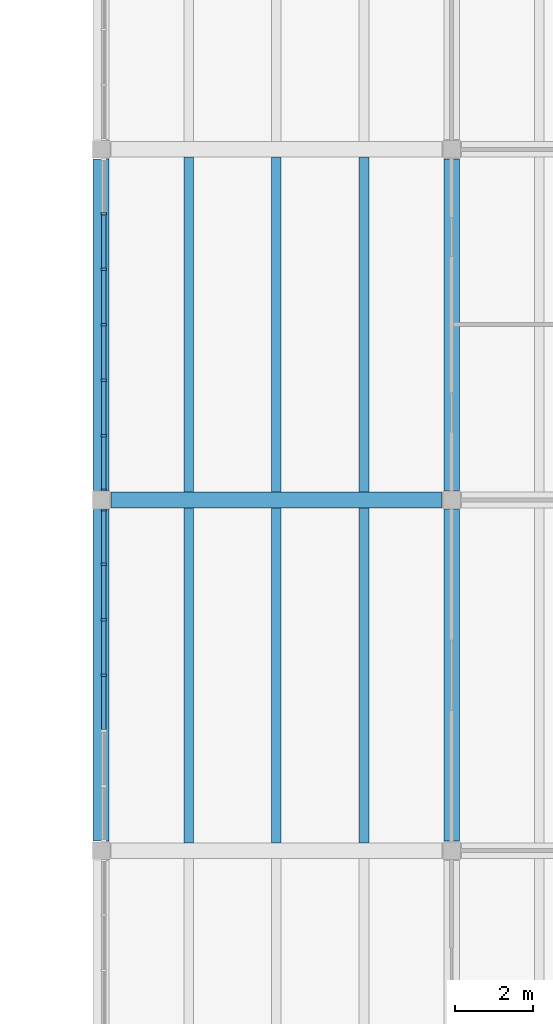
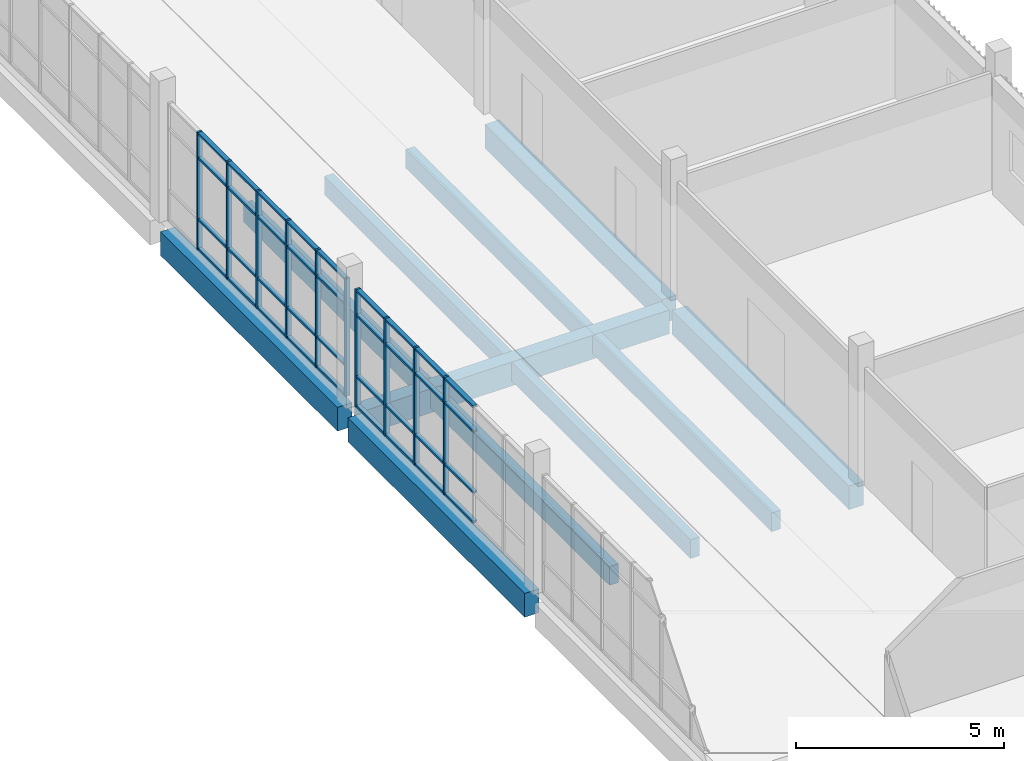
# One storey, part 19 of 88: 46 members, 11 beams, 2 elements without a shape of their own.
"""IFC4 building model written with IfcOpenShell, lengths in metres."""

import ifcopenshell
import ifcopenshell.guid

model = None  # the IFC model being written
_history = None  # IfcOwnerHistory: only IFC2X3 demands one
_inside = {}  # id of a spatial element -> (the spatial element, [elements in it])
_under = {}  # id of a project, library or spatial element -> (it, [spatial elements below it])
_declared = {}  # id of a project -> (the project, [libraries it declares])
_typed = {}  # id of a type object -> (the type object, [elements of that type])
_made_of = {}  # id of a material, layer set ... -> (it, [elements and type objects made of it])


def new_model(schema):
    """Start an empty IFC model of exactly this schema.

    Asked for "IFC4X3", IfcOpenShell would pick the latest addendum, in which some entities
    have other attributes; the version numbers below select the first issue.
    IFC2X3 requires an IfcOwnerHistory on every rooted entity: one is made here for all.
    """
    global model, _history
    if schema == "IFC4X3":
        model = ifcopenshell.file(schema_version=(4, 3, 0, 0))
    else:
        model = ifcopenshell.file(schema=schema)
    _inside.clear()
    _under.clear()
    _declared.clear()
    _typed.clear()
    _made_of.clear()
    _history = None
    if model.schema == "IFC2X3":
        org = make("IfcOrganization", Name="unknown")
        user = make(
            "IfcPersonAndOrganization",
            ThePerson=make("IfcPerson", FamilyName="unknown"),
            TheOrganization=org,
        )
        app = make(
            "IfcApplication",
            ApplicationDeveloper=org,
            Version="unknown",
            ApplicationFullName="unknown",
            ApplicationIdentifier="unknown",
        )
        _history = make(
            "IfcOwnerHistory",
            OwningUser=user,
            OwningApplication=app,
            ChangeAction="ADDED",
            CreationDate=0,
        )
    return model


def make(cls, **values):
    """One entity of the class cls with the attributes given. An attribute that is None is left unset."""
    return model.create_entity(
        cls, **{name: value for name, value in values.items() if value is not None}
    )


def rooted(cls, **values):
    """An entity with a GlobalId (a new one), such as an element, a storey or a relation."""
    return make(cls, GlobalId=ifcopenshell.guid.new(), OwnerHistory=_history, **values)


def si_unit(unit_type, name, prefix=None):
    """IfcSIUnit, for example si_unit("LENGTHUNIT", "METRE", prefix="MILLI")."""
    return make("IfcSIUnit", UnitType=unit_type, Prefix=prefix, Name=name)


def assignment(units):
    """IfcUnitAssignment: the units of a project."""
    return None if units is None else make("IfcUnitAssignment", Units=units)


def point(xyz):
    """IfcCartesianPoint."""
    return None if xyz is None else make("IfcCartesianPoint", Coordinates=xyz)


def direction(xyz):
    """IfcDirection."""
    return None if xyz is None else make("IfcDirection", DirectionRatios=xyz)


def frame(location, z_axis=None, x_axis=None):
    """IfcAxis2Placement3D, a coordinate frame: its origin and axes. An axis left out is left unset."""
    return make(
        "IfcAxis2Placement3D",
        Location=point(location),
        Axis=direction(z_axis),
        RefDirection=direction(x_axis),
    )


def frame_2d(location, x_axis=None):
    """IfcAxis2Placement2D, a coordinate frame in the plane: its origin and x axis."""
    return make(
        "IfcAxis2Placement2D", Location=point(location), RefDirection=direction(x_axis)
    )


def origin():
    """The frame at (0, 0, 0) with its axes left unset."""
    return frame((0.0, 0.0, 0.0))


def origin_2d():
    """The frame at (0, 0) in the plane with its x axis left unset."""
    return frame_2d((0.0, 0.0))


def place(relative_to, where):
    """IfcLocalPlacement: puts the frame where relative to a parent placement (None: the world)."""
    return make(
        "IfcLocalPlacement", PlacementRelTo=relative_to, RelativePlacement=where
    )


def context(
    kind, dimensions, precision=None, world=None, true_north=None, identifier=None
):
    """IfcGeometricRepresentationContext, for example the 3D "Model" context."""
    return make(
        "IfcGeometricRepresentationContext",
        ContextIdentifier=identifier,
        ContextType=kind,
        CoordinateSpaceDimension=dimensions,
        Precision=precision,
        WorldCoordinateSystem=world,
        TrueNorth=true_north,
    )


def subcontext(parent, identifier, kind, view, scale=None):
    """IfcGeometricRepresentationSubContext, for example "Body" below "Model"."""
    return make(
        "IfcGeometricRepresentationSubContext",
        ContextIdentifier=identifier,
        ContextType=kind,
        ParentContext=parent,
        TargetScale=scale,
        TargetView=view,
    )


def project(units=None, contexts=None):
    """IfcProject with its units and contexts."""
    return rooted(
        "IfcProject",
        Name="project",
        RepresentationContexts=contexts,
        UnitsInContext=assignment(units),
    )


def spatial(cls, under=None, at=None, **own):
    """A site, building, storey or space (cls), placed at a placement, below another one or the project."""
    s = rooted(cls, ObjectPlacement=at, **own)
    if under is not None:
        _under.setdefault(under.id(), (under, []))[1].append(s)
    return s


def profile(cls, at=None, kind="AREA", **sizes):
    """A parametric profile (cls). Its sizes go by their IFC names, for example OverallWidth=200.0."""
    return make(cls, ProfileType=kind, Position=at, **sizes)


def rectangle(**sizes):
    """IfcRectangleProfileDef."""
    return profile("IfcRectangleProfileDef", **sizes)


def extrude(swept, where, along, depth):
    """IfcExtrudedAreaSolid: the profile swept, set in the frame where, extruded along a direction by depth."""
    return make(
        "IfcExtrudedAreaSolid",
        SweptArea=swept,
        Position=where,
        ExtrudedDirection=direction(along),
        Depth=depth,
    )


def shape(context_of_items, identifier, shape_type, items):
    """IfcShapeRepresentation: the items that make up one representation, for example the "Body"."""
    return make(
        "IfcShapeRepresentation",
        ContextOfItems=context_of_items,
        RepresentationIdentifier=identifier,
        RepresentationType=shape_type,
        Items=items,
    )


def material(Name=None, Category=None):
    """IfcMaterial."""
    return make("IfcMaterial", Name=Name, Category=Category)


def material_profile(
    of_material, cross_section, Name=None, Category=None, Priority=None
):
    """IfcMaterialProfile: a cross section and its material."""
    return make(
        "IfcMaterialProfile",
        Name=Name,
        Material=of_material,
        Profile=cross_section,
        Priority=Priority,
        Category=Category,
    )


def profile_set(profiles, Name=None, composite=None):
    """IfcMaterialProfileSet."""
    return make(
        "IfcMaterialProfileSet",
        Name=Name,
        MaterialProfiles=profiles,
        CompositeProfile=composite,
    )


def made_of(thing, what):
    """Note that an element or type object is made of a material, layer set ...; save() writes the relation."""
    if what is not None:
        _made_of.setdefault(what.id(), (what, []))[1].append(thing)
    return thing


def type_object(cls, material=None, **own):
    """A type object (cls), such as IfcWallType, which elements share."""
    return made_of(rooted(cls, **own), material)


def element(
    cls,
    number,
    at=None,
    inside=None,
    cuts=None,
    type_object=None,
    material=None,
    context=None,
    identifier="Body",
    shape_type=None,
    held_by="IfcProductDefinitionShape",
    body=None,
    shapes=None,
    **own,
):
    """One element of the class cls, such as IfcWall. Its Tag is "e" and its number.

    at: its placement. inside: the storey or other place that contains it. cuts: it is an
    opening in that element (IfcRelVoidsElement). A single representation is given by context,
    identifier, shape_type and body (its items); several are given by shapes. held_by: the class
    of the entity that holds the representations. save() writes the other relations.
    """
    e = rooted(cls, Tag="e%d" % number, ObjectPlacement=at, **own)
    if body is not None:
        shapes = [shape(context, identifier, shape_type, body)]
    if shapes is not None:
        e.Representation = make(held_by, Representations=shapes)
    if inside is not None:
        _inside.setdefault(inside.id(), (inside, []))[1].append(e)
    if cuts is not None:
        rooted(
            "IfcRelVoidsElement", RelatingBuildingElement=cuts, RelatedOpeningElement=e
        )
    if type_object is not None:
        _typed.setdefault(type_object.id(), (type_object, []))[1].append(e)
    return made_of(e, material)


def aggregate(whole, parts):
    """IfcRelAggregates: a whole, such as a stair, and the parts it consists of."""
    return rooted("IfcRelAggregates", RelatingObject=whole, RelatedObjects=parts)


def save(model, path):
    """Write the relations noted so far, then the file.

    IfcRelAggregates (storeys below a building ...), IfcRelContainedInSpatialStructure (elements
    in a storey), IfcRelDefinesByType, IfcRelAssociatesMaterial and IfcRelDeclares: one each for
    every whole, place, type object, material and project.
    """
    for whole, parts in _under.values():
        aggregate(whole, parts)
    for where, things in _inside.values():
        rooted(
            "IfcRelContainedInSpatialStructure",
            RelatedElements=things,
            RelatingStructure=where,
        )
    for kind, things in _typed.values():
        rooted("IfcRelDefinesByType", RelatedObjects=things, RelatingType=kind)
    for what, things in _made_of.values():
        rooted("IfcRelAssociatesMaterial", RelatedObjects=things, RelatingMaterial=what)
    for by, libraries in _declared.values():
        rooted("IfcRelDeclares", RelatingContext=by, RelatedDefinitions=libraries)
    model.write(path)


model = new_model("IFC4")

# Units and contexts
model_context = context("Model", 3, precision=1e-05, world=origin(), true_north=direction((0.0, 1.0)))
body_context = subcontext(model_context, "Body", "Model", "MODEL_VIEW")
ifc_project = project(units=[si_unit("LENGTHUNIT", "METRE"), si_unit("AREAUNIT", "SQUARE_METRE"), si_unit("VOLUMEUNIT", "CUBIC_METRE"), si_unit("PLANEANGLEUNIT", "RADIAN"), si_unit("MASSUNIT", "GRAM", prefix="KILO")], contexts=[model_context])

# Site, building, storey
site_placement = place(None, origin())
site = spatial("IfcSite", under=ifc_project, at=site_placement, CompositionType="ELEMENT")
building_placement = place(site_placement, origin())
building = spatial("IfcBuilding", under=site, at=building_placement, Name="Merrow Basin Faculty of Sciences", CompositionType="ELEMENT")
storey_placement = place(building_placement, frame((0.0, 0.0, 9.0)))
storey = spatial("IfcBuildingStorey", under=building, at=storey_placement, Name="L02", CompositionType="ELEMENT", Elevation=9.0)

# Curtain wall, members
ifc_material_1 = material(Name="Aluminium alloy 6063", Category="aluminium")
curtain_wall_type = type_object("IfcCurtainWallType", Name="Court curtain wall 140", PredefinedType="NOTDEFINED", material=ifc_material_1)
curtain_wall_1_placement = place(storey_placement, origin())
curtain_wall_1 = element("IfcCurtainWall", 1, at=curtain_wall_1_placement, inside=storey, type_object=curtain_wall_type, Name="Court curtain wall L02 3", PredefinedType="NOTDEFINED")
ifc_material_2 = material(Name="Aluminium alloy 6063", Category="aluminium")
ifc_material_profile_1 = material_profile(ifc_material_2, rectangle(XDim=0.139892578125, YDim=0.06005859375, at=origin_2d()))
ifc_profile_set_1 = profile_set([ifc_material_profile_1], Name="Aluminium alloy 6063")
member_type_1 = type_object("IfcMemberType", Name="Aluminium mullion 60x140", PredefinedType="MULLION", material=ifc_profile_set_1)
member_1_placement = place(storey_placement, frame((54.070068359375, 83.5, 0.0), z_axis=(0.0, 0.0, 1.0), x_axis=(-1.0, 0.0, 0.0)))
member_1 = element("IfcMember", 2, at=member_1_placement, type_object=member_type_1, Name="CW8 mullion 4", PredefinedType="MULLION", context=body_context, shape_type="SweptSolid", body=[
    extrude(rectangle(XDim=0.139892578125, YDim=0.06005859375, at=origin_2d()), origin(), (0.0, 0.0, 1.0), 3.449951171875),
])
member_2_placement = place(storey_placement, frame((54.070068359375, 84.925048828125, 0.0), z_axis=(0.0, 0.0, 1.0), x_axis=(-1.0, 0.0, 0.0)))
member_2 = element("IfcMember", 3, at=member_2_placement, type_object=member_type_1, Name="CW8 mullion 5", PredefinedType="MULLION", context=body_context, shape_type="SweptSolid", body=[
    extrude(rectangle(XDim=0.139892578125, YDim=0.06005859375, at=origin_2d()), origin(), (0.0, 0.0, 1.0), 3.449951171875),
])
member_3_placement = place(storey_placement, frame((54.070068359375, 86.35009765625, 0.0), z_axis=(0.0, 0.0, 1.0), x_axis=(-1.0, 0.0, 0.0)))
member_3 = element("IfcMember", 4, at=member_3_placement, type_object=member_type_1, Name="CW8 mullion 6", PredefinedType="MULLION", context=body_context, shape_type="SweptSolid", body=[
    extrude(rectangle(XDim=0.139892578125, YDim=0.06005859375, at=origin_2d()), origin(), (0.0, 0.0, 1.0), 3.449951171875),
])
member_4_placement = place(storey_placement, frame((54.070068359375, 87.7451171875, 0.0), z_axis=(0.0, 0.0, 1.0), x_axis=(-1.0, 0.0, 0.0)))
member_4 = element("IfcMember", 5, at=member_4_placement, type_object=member_type_1, Name="CW8 mullion 7", PredefinedType="MULLION", context=body_context, shape_type="SweptSolid", body=[
    extrude(rectangle(XDim=0.139892578125, YDim=0.06005859375, at=origin_2d()), origin(), (0.0, 0.0, 1.0), 3.449951171875),
])

curtain_wall_2_placement = place(storey_placement, origin())
curtain_wall_2 = element("IfcCurtainWall", 6, at=curtain_wall_2_placement, inside=storey, type_object=curtain_wall_type, Name="Court curtain wall L02 4", PredefinedType="NOTDEFINED")
member_5_placement = place(storey_placement, frame((54.070068359375, 88.2548828125, 0.0), z_axis=(0.0, 0.0, 1.0), x_axis=(-1.0, 0.0, 0.0)))
member_5 = element("IfcMember", 7, at=member_5_placement, type_object=member_type_1, Name="CW8 mullion 1", PredefinedType="MULLION", context=body_context, shape_type="SweptSolid", body=[
    extrude(rectangle(XDim=0.139892578125, YDim=0.06005859375, at=origin_2d()), origin(), (0.0, 0.0, 1.0), 3.449951171875),
])
member_6_placement = place(storey_placement, frame((54.070068359375, 89.64990234375, 0.0), z_axis=(0.0, 0.0, 1.0), x_axis=(-1.0, 0.0, 0.0)))
member_6 = element("IfcMember", 8, at=member_6_placement, type_object=member_type_1, Name="CW8 mullion 2", PredefinedType="MULLION", context=body_context, shape_type="SweptSolid", body=[
    extrude(rectangle(XDim=0.139892578125, YDim=0.06005859375, at=origin_2d()), origin(), (0.0, 0.0, 1.0), 3.449951171875),
])
member_7_placement = place(storey_placement, frame((54.070068359375, 91.074951171875, 0.0), z_axis=(0.0, 0.0, 1.0), x_axis=(-1.0, 0.0, 0.0)))
member_7 = element("IfcMember", 9, at=member_7_placement, type_object=member_type_1, Name="CW8 mullion 3", PredefinedType="MULLION", context=body_context, shape_type="SweptSolid", body=[
    extrude(rectangle(XDim=0.139892578125, YDim=0.06005859375, at=origin_2d()), origin(), (0.0, 0.0, 1.0), 3.449951171875),
])
member_8_placement = place(storey_placement, frame((54.070068359375, 92.5, 0.0), z_axis=(0.0, 0.0, 1.0), x_axis=(-1.0, 0.0, 0.0)))
member_8 = element("IfcMember", 10, at=member_8_placement, type_object=member_type_1, Name="CW8 mullion 4", PredefinedType="MULLION", context=body_context, shape_type="SweptSolid", body=[
    extrude(rectangle(XDim=0.139892578125, YDim=0.06005859375, at=origin_2d()), origin(), (0.0, 0.0, 1.0), 3.449951171875),
])
member_9_placement = place(storey_placement, frame((54.070068359375, 93.925048828125, 0.0), z_axis=(0.0, 0.0, 1.0), x_axis=(-1.0, 0.0, 0.0)))
member_9 = element("IfcMember", 11, at=member_9_placement, type_object=member_type_1, Name="CW8 mullion 5", PredefinedType="MULLION", context=body_context, shape_type="SweptSolid", body=[
    extrude(rectangle(XDim=0.139892578125, YDim=0.06005859375, at=origin_2d()), origin(), (0.0, 0.0, 1.0), 3.449951171875),
])
member_10_placement = place(storey_placement, frame((54.070068359375, 95.35009765625, 0.0), z_axis=(0.0, 0.0, 1.0), x_axis=(-1.0, 0.0, 0.0)))
member_10 = element("IfcMember", 12, at=member_10_placement, type_object=member_type_1, Name="CW8 mullion 6", PredefinedType="MULLION", context=body_context, shape_type="SweptSolid", body=[
    extrude(rectangle(XDim=0.139892578125, YDim=0.06005859375, at=origin_2d()), origin(), (0.0, 0.0, 1.0), 3.449951171875),
])

# Member
ifc_material_3 = material(Name="Aluminium alloy 6063", Category="aluminium")
ifc_material_profile_2 = material_profile(ifc_material_3, rectangle(XDim=0.1201171875, YDim=0.06005859375, at=origin_2d()))
ifc_profile_set_2 = profile_set([ifc_material_profile_2], Name="Aluminium alloy 6063")
member_type_2 = type_object("IfcMemberType", Name="Aluminium transom 60x120", PredefinedType="USERDEFINED", material=ifc_profile_set_2)
member_11_placement = place(storey_placement, frame((54.070068359375, 82.10498046875, 0.030029296875), z_axis=(0.0, 1.0, 0.0), x_axis=(-1.0, 0.0, 0.0)))
member_11 = element("IfcMember", 13, at=member_11_placement, type_object=member_type_2, Name="CW8 transom 3.1", ObjectType="TRANSOM", PredefinedType="USERDEFINED", context=body_context, shape_type="SweptSolid", body=[
    extrude(rectangle(XDim=0.1201171875, YDim=0.06005859375, at=origin_2d()), origin(), (0.0, 0.0, 1.0), 1.364990234375),
])

member_12_placement = place(storey_placement, frame((54.070068359375, 82.10498046875, 0.89990234375), z_axis=(0.0, 1.0, 0.0), x_axis=(-1.0, 0.0, 0.0)))
member_12 = element("IfcMember", 14, at=member_12_placement, type_object=member_type_2, Name="CW8 transom 3.2", ObjectType="TRANSOM", PredefinedType="USERDEFINED", context=body_context, shape_type="SweptSolid", body=[
    extrude(rectangle(XDim=0.1201171875, YDim=0.06005859375, at=origin_2d()), origin(), (0.0, 0.0, 1.0), 1.364990234375),
])

member_13_placement = place(storey_placement, frame((54.070068359375, 82.10498046875, 2.699951171875), z_axis=(0.0, 1.0, 0.0), x_axis=(-1.0, 0.0, 0.0)))
member_13 = element("IfcMember", 15, at=member_13_placement, type_object=member_type_2, Name="CW8 transom 3.3", ObjectType="TRANSOM", PredefinedType="USERDEFINED", context=body_context, shape_type="SweptSolid", body=[
    extrude(rectangle(XDim=0.1201171875, YDim=0.06005859375, at=origin_2d()), origin(), (0.0, 0.0, 1.0), 1.364990234375),
])

member_14_placement = place(storey_placement, frame((54.070068359375, 82.10498046875, 3.419921875), z_axis=(0.0, 1.0, 0.0), x_axis=(-1.0, 0.0, 0.0)))
member_14 = element("IfcMember", 16, at=member_14_placement, type_object=member_type_2, Name="CW8 transom 3.4", ObjectType="TRANSOM", PredefinedType="USERDEFINED", context=body_context, shape_type="SweptSolid", body=[
    extrude(rectangle(XDim=0.1201171875, YDim=0.06005859375, at=origin_2d()), origin(), (0.0, 0.0, 1.0), 1.364990234375),
])

member_15_placement = place(storey_placement, frame((54.070068359375, 83.530029296875, 0.030029296875), z_axis=(0.0, 1.0, 0.0), x_axis=(-1.0, 0.0, 0.0)))
member_15 = element("IfcMember", 17, at=member_15_placement, type_object=member_type_2, Name="CW8 transom 4.1", ObjectType="TRANSOM", PredefinedType="USERDEFINED", context=body_context, shape_type="SweptSolid", body=[
    extrude(rectangle(XDim=0.1201171875, YDim=0.06005859375, at=origin_2d()), origin(), (0.0, 0.0, 1.0), 1.364990234375),
])

member_16_placement = place(storey_placement, frame((54.070068359375, 83.530029296875, 0.89990234375), z_axis=(0.0, 1.0, 0.0), x_axis=(-1.0, 0.0, 0.0)))
member_16 = element("IfcMember", 18, at=member_16_placement, type_object=member_type_2, Name="CW8 transom 4.2", ObjectType="TRANSOM", PredefinedType="USERDEFINED", context=body_context, shape_type="SweptSolid", body=[
    extrude(rectangle(XDim=0.1201171875, YDim=0.06005859375, at=origin_2d()), origin(), (0.0, 0.0, 1.0), 1.364990234375),
])

member_17_placement = place(storey_placement, frame((54.070068359375, 83.530029296875, 2.699951171875), z_axis=(0.0, 1.0, 0.0), x_axis=(-1.0, 0.0, 0.0)))
member_17 = element("IfcMember", 19, at=member_17_placement, type_object=member_type_2, Name="CW8 transom 4.3", ObjectType="TRANSOM", PredefinedType="USERDEFINED", context=body_context, shape_type="SweptSolid", body=[
    extrude(rectangle(XDim=0.1201171875, YDim=0.06005859375, at=origin_2d()), origin(), (0.0, 0.0, 1.0), 1.364990234375),
])

member_18_placement = place(storey_placement, frame((54.070068359375, 83.530029296875, 3.419921875), z_axis=(0.0, 1.0, 0.0), x_axis=(-1.0, 0.0, 0.0)))
member_18 = element("IfcMember", 20, at=member_18_placement, type_object=member_type_2, Name="CW8 transom 4.4", ObjectType="TRANSOM", PredefinedType="USERDEFINED", context=body_context, shape_type="SweptSolid", body=[
    extrude(rectangle(XDim=0.1201171875, YDim=0.06005859375, at=origin_2d()), origin(), (0.0, 0.0, 1.0), 1.364990234375),
])

member_19_placement = place(storey_placement, frame((54.070068359375, 84.955078125, 0.030029296875), z_axis=(0.0, 1.0, 0.0), x_axis=(-1.0, 0.0, 0.0)))
member_19 = element("IfcMember", 21, at=member_19_placement, type_object=member_type_2, Name="CW8 transom 5.1", ObjectType="TRANSOM", PredefinedType="USERDEFINED", context=body_context, shape_type="SweptSolid", body=[
    extrude(rectangle(XDim=0.1201171875, YDim=0.06005859375, at=origin_2d()), origin(), (0.0, 0.0, 1.0), 1.364990234375),
])

member_20_placement = place(storey_placement, frame((54.070068359375, 84.955078125, 0.89990234375), z_axis=(0.0, 1.0, 0.0), x_axis=(-1.0, 0.0, 0.0)))
member_20 = element("IfcMember", 22, at=member_20_placement, type_object=member_type_2, Name="CW8 transom 5.2", ObjectType="TRANSOM", PredefinedType="USERDEFINED", context=body_context, shape_type="SweptSolid", body=[
    extrude(rectangle(XDim=0.1201171875, YDim=0.06005859375, at=origin_2d()), origin(), (0.0, 0.0, 1.0), 1.364990234375),
])

member_21_placement = place(storey_placement, frame((54.070068359375, 84.955078125, 2.699951171875), z_axis=(0.0, 1.0, 0.0), x_axis=(-1.0, 0.0, 0.0)))
member_21 = element("IfcMember", 23, at=member_21_placement, type_object=member_type_2, Name="CW8 transom 5.3", ObjectType="TRANSOM", PredefinedType="USERDEFINED", context=body_context, shape_type="SweptSolid", body=[
    extrude(rectangle(XDim=0.1201171875, YDim=0.06005859375, at=origin_2d()), origin(), (0.0, 0.0, 1.0), 1.364990234375),
])

member_22_placement = place(storey_placement, frame((54.070068359375, 84.955078125, 3.419921875), z_axis=(0.0, 1.0, 0.0), x_axis=(-1.0, 0.0, 0.0)))
member_22 = element("IfcMember", 24, at=member_22_placement, type_object=member_type_2, Name="CW8 transom 5.4", ObjectType="TRANSOM", PredefinedType="USERDEFINED", context=body_context, shape_type="SweptSolid", body=[
    extrude(rectangle(XDim=0.1201171875, YDim=0.06005859375, at=origin_2d()), origin(), (0.0, 0.0, 1.0), 1.364990234375),
])

member_23_placement = place(storey_placement, frame((54.070068359375, 86.3798828125, 0.030029296875), z_axis=(0.0, 1.0, 0.0), x_axis=(-1.0, 0.0, 0.0)))
member_23 = element("IfcMember", 25, at=member_23_placement, type_object=member_type_2, Name="CW8 transom 6.1", ObjectType="TRANSOM", PredefinedType="USERDEFINED", context=body_context, shape_type="SweptSolid", body=[
    extrude(rectangle(XDim=0.1201171875, YDim=0.06005859375, at=origin_2d()), origin(), (0.0, 0.0, 1.0), 1.335205078125),
])

member_24_placement = place(storey_placement, frame((54.070068359375, 86.3798828125, 0.89990234375), z_axis=(0.0, 1.0, 0.0), x_axis=(-1.0, 0.0, 0.0)))
member_24 = element("IfcMember", 26, at=member_24_placement, type_object=member_type_2, Name="CW8 transom 6.2", ObjectType="TRANSOM", PredefinedType="USERDEFINED", context=body_context, shape_type="SweptSolid", body=[
    extrude(rectangle(XDim=0.1201171875, YDim=0.06005859375, at=origin_2d()), origin(), (0.0, 0.0, 1.0), 1.335205078125),
])

member_25_placement = place(storey_placement, frame((54.070068359375, 86.3798828125, 2.699951171875), z_axis=(0.0, 1.0, 0.0), x_axis=(-1.0, 0.0, 0.0)))
member_25 = element("IfcMember", 27, at=member_25_placement, type_object=member_type_2, Name="CW8 transom 6.3", ObjectType="TRANSOM", PredefinedType="USERDEFINED", context=body_context, shape_type="SweptSolid", body=[
    extrude(rectangle(XDim=0.1201171875, YDim=0.06005859375, at=origin_2d()), origin(), (0.0, 0.0, 1.0), 1.335205078125),
])

member_26_placement = place(storey_placement, frame((54.070068359375, 86.3798828125, 3.419921875), z_axis=(0.0, 1.0, 0.0), x_axis=(-1.0, 0.0, 0.0)))
member_26 = element("IfcMember", 28, at=member_26_placement, type_object=member_type_2, Name="CW8 transom 6.4", ObjectType="TRANSOM", PredefinedType="USERDEFINED", context=body_context, shape_type="SweptSolid", body=[
    extrude(rectangle(XDim=0.1201171875, YDim=0.06005859375, at=origin_2d()), origin(), (0.0, 0.0, 1.0), 1.335205078125),
])

aggregate(curtain_wall_1, [member_1, member_2, member_3, member_4, member_11, member_12, member_13, member_14, member_15, member_16, member_17, member_18, member_19, member_20, member_21, member_22, member_23, member_24, member_25, member_26])

member_27_placement = place(storey_placement, frame((54.070068359375, 88.284912109375, 0.030029296875), z_axis=(0.0, 1.0, 0.0), x_axis=(-1.0, 0.0, 0.0)))
member_27 = element("IfcMember", 29, at=member_27_placement, type_object=member_type_2, Name="CW8 transom 1.1", ObjectType="TRANSOM", PredefinedType="USERDEFINED", context=body_context, shape_type="SweptSolid", body=[
    extrude(rectangle(XDim=0.1201171875, YDim=0.06005859375, at=origin_2d()), origin(), (0.0, 0.0, 1.0), 1.335205078125),
])

member_28_placement = place(storey_placement, frame((54.070068359375, 88.284912109375, 0.89990234375), z_axis=(0.0, 1.0, 0.0), x_axis=(-1.0, 0.0, 0.0)))
member_28 = element("IfcMember", 30, at=member_28_placement, type_object=member_type_2, Name="CW8 transom 1.2", ObjectType="TRANSOM", PredefinedType="USERDEFINED", context=body_context, shape_type="SweptSolid", body=[
    extrude(rectangle(XDim=0.1201171875, YDim=0.06005859375, at=origin_2d()), origin(), (0.0, 0.0, 1.0), 1.335205078125),
])

member_29_placement = place(storey_placement, frame((54.070068359375, 88.284912109375, 2.699951171875), z_axis=(0.0, 1.0, 0.0), x_axis=(-1.0, 0.0, 0.0)))
member_29 = element("IfcMember", 31, at=member_29_placement, type_object=member_type_2, Name="CW8 transom 1.3", ObjectType="TRANSOM", PredefinedType="USERDEFINED", context=body_context, shape_type="SweptSolid", body=[
    extrude(rectangle(XDim=0.1201171875, YDim=0.06005859375, at=origin_2d()), origin(), (0.0, 0.0, 1.0), 1.335205078125),
])

member_30_placement = place(storey_placement, frame((54.070068359375, 88.284912109375, 3.419921875), z_axis=(0.0, 1.0, 0.0), x_axis=(-1.0, 0.0, 0.0)))
member_30 = element("IfcMember", 32, at=member_30_placement, type_object=member_type_2, Name="CW8 transom 1.4", ObjectType="TRANSOM", PredefinedType="USERDEFINED", context=body_context, shape_type="SweptSolid", body=[
    extrude(rectangle(XDim=0.1201171875, YDim=0.06005859375, at=origin_2d()), origin(), (0.0, 0.0, 1.0), 1.335205078125),
])

member_31_placement = place(storey_placement, frame((54.070068359375, 89.679931640625, 0.030029296875), z_axis=(0.0, 1.0, 0.0), x_axis=(-1.0, 0.0, 0.0)))
member_31 = element("IfcMember", 33, at=member_31_placement, type_object=member_type_2, Name="CW8 transom 2.1", ObjectType="TRANSOM", PredefinedType="USERDEFINED", context=body_context, shape_type="SweptSolid", body=[
    extrude(rectangle(XDim=0.1201171875, YDim=0.06005859375, at=origin_2d()), origin(), (0.0, 0.0, 1.0), 1.364990234375),
])

member_32_placement = place(storey_placement, frame((54.070068359375, 89.679931640625, 0.89990234375), z_axis=(0.0, 1.0, 0.0), x_axis=(-1.0, 0.0, 0.0)))
member_32 = element("IfcMember", 34, at=member_32_placement, type_object=member_type_2, Name="CW8 transom 2.2", ObjectType="TRANSOM", PredefinedType="USERDEFINED", context=body_context, shape_type="SweptSolid", body=[
    extrude(rectangle(XDim=0.1201171875, YDim=0.06005859375, at=origin_2d()), origin(), (0.0, 0.0, 1.0), 1.364990234375),
])

member_33_placement = place(storey_placement, frame((54.070068359375, 89.679931640625, 2.699951171875), z_axis=(0.0, 1.0, 0.0), x_axis=(-1.0, 0.0, 0.0)))
member_33 = element("IfcMember", 35, at=member_33_placement, type_object=member_type_2, Name="CW8 transom 2.3", ObjectType="TRANSOM", PredefinedType="USERDEFINED", context=body_context, shape_type="SweptSolid", body=[
    extrude(rectangle(XDim=0.1201171875, YDim=0.06005859375, at=origin_2d()), origin(), (0.0, 0.0, 1.0), 1.364990234375),
])

member_34_placement = place(storey_placement, frame((54.070068359375, 89.679931640625, 3.419921875), z_axis=(0.0, 1.0, 0.0), x_axis=(-1.0, 0.0, 0.0)))
member_34 = element("IfcMember", 36, at=member_34_placement, type_object=member_type_2, Name="CW8 transom 2.4", ObjectType="TRANSOM", PredefinedType="USERDEFINED", context=body_context, shape_type="SweptSolid", body=[
    extrude(rectangle(XDim=0.1201171875, YDim=0.06005859375, at=origin_2d()), origin(), (0.0, 0.0, 1.0), 1.364990234375),
])

member_35_placement = place(storey_placement, frame((54.070068359375, 91.10498046875, 0.030029296875), z_axis=(0.0, 1.0, 0.0), x_axis=(-1.0, 0.0, 0.0)))
member_35 = element("IfcMember", 37, at=member_35_placement, type_object=member_type_2, Name="CW8 transom 3.1", ObjectType="TRANSOM", PredefinedType="USERDEFINED", context=body_context, shape_type="SweptSolid", body=[
    extrude(rectangle(XDim=0.1201171875, YDim=0.06005859375, at=origin_2d()), origin(), (0.0, 0.0, 1.0), 1.364990234375),
])

member_36_placement = place(storey_placement, frame((54.070068359375, 91.10498046875, 0.89990234375), z_axis=(0.0, 1.0, 0.0), x_axis=(-1.0, 0.0, 0.0)))
member_36 = element("IfcMember", 38, at=member_36_placement, type_object=member_type_2, Name="CW8 transom 3.2", ObjectType="TRANSOM", PredefinedType="USERDEFINED", context=body_context, shape_type="SweptSolid", body=[
    extrude(rectangle(XDim=0.1201171875, YDim=0.06005859375, at=origin_2d()), origin(), (0.0, 0.0, 1.0), 1.364990234375),
])

member_37_placement = place(storey_placement, frame((54.070068359375, 91.10498046875, 2.699951171875), z_axis=(0.0, 1.0, 0.0), x_axis=(-1.0, 0.0, 0.0)))
member_37 = element("IfcMember", 39, at=member_37_placement, type_object=member_type_2, Name="CW8 transom 3.3", ObjectType="TRANSOM", PredefinedType="USERDEFINED", context=body_context, shape_type="SweptSolid", body=[
    extrude(rectangle(XDim=0.1201171875, YDim=0.06005859375, at=origin_2d()), origin(), (0.0, 0.0, 1.0), 1.364990234375),
])

member_38_placement = place(storey_placement, frame((54.070068359375, 91.10498046875, 3.419921875), z_axis=(0.0, 1.0, 0.0), x_axis=(-1.0, 0.0, 0.0)))
member_38 = element("IfcMember", 40, at=member_38_placement, type_object=member_type_2, Name="CW8 transom 3.4", ObjectType="TRANSOM", PredefinedType="USERDEFINED", context=body_context, shape_type="SweptSolid", body=[
    extrude(rectangle(XDim=0.1201171875, YDim=0.06005859375, at=origin_2d()), origin(), (0.0, 0.0, 1.0), 1.364990234375),
])

member_39_placement = place(storey_placement, frame((54.070068359375, 92.530029296875, 0.030029296875), z_axis=(0.0, 1.0, 0.0), x_axis=(-1.0, 0.0, 0.0)))
member_39 = element("IfcMember", 41, at=member_39_placement, type_object=member_type_2, Name="CW8 transom 4.1", ObjectType="TRANSOM", PredefinedType="USERDEFINED", context=body_context, shape_type="SweptSolid", body=[
    extrude(rectangle(XDim=0.1201171875, YDim=0.06005859375, at=origin_2d()), origin(), (0.0, 0.0, 1.0), 1.364990234375),
])

member_40_placement = place(storey_placement, frame((54.070068359375, 92.530029296875, 0.89990234375), z_axis=(0.0, 1.0, 0.0), x_axis=(-1.0, 0.0, 0.0)))
member_40 = element("IfcMember", 42, at=member_40_placement, type_object=member_type_2, Name="CW8 transom 4.2", ObjectType="TRANSOM", PredefinedType="USERDEFINED", context=body_context, shape_type="SweptSolid", body=[
    extrude(rectangle(XDim=0.1201171875, YDim=0.06005859375, at=origin_2d()), origin(), (0.0, 0.0, 1.0), 1.364990234375),
])

member_41_placement = place(storey_placement, frame((54.070068359375, 92.530029296875, 2.699951171875), z_axis=(0.0, 1.0, 0.0), x_axis=(-1.0, 0.0, 0.0)))
member_41 = element("IfcMember", 43, at=member_41_placement, type_object=member_type_2, Name="CW8 transom 4.3", ObjectType="TRANSOM", PredefinedType="USERDEFINED", context=body_context, shape_type="SweptSolid", body=[
    extrude(rectangle(XDim=0.1201171875, YDim=0.06005859375, at=origin_2d()), origin(), (0.0, 0.0, 1.0), 1.364990234375),
])

member_42_placement = place(storey_placement, frame((54.070068359375, 92.530029296875, 3.419921875), z_axis=(0.0, 1.0, 0.0), x_axis=(-1.0, 0.0, 0.0)))
member_42 = element("IfcMember", 44, at=member_42_placement, type_object=member_type_2, Name="CW8 transom 4.4", ObjectType="TRANSOM", PredefinedType="USERDEFINED", context=body_context, shape_type="SweptSolid", body=[
    extrude(rectangle(XDim=0.1201171875, YDim=0.06005859375, at=origin_2d()), origin(), (0.0, 0.0, 1.0), 1.364990234375),
])

member_43_placement = place(storey_placement, frame((54.070068359375, 93.955078125, 0.030029296875), z_axis=(0.0, 1.0, 0.0), x_axis=(-1.0, 0.0, 0.0)))
member_43 = element("IfcMember", 45, at=member_43_placement, type_object=member_type_2, Name="CW8 transom 5.1", ObjectType="TRANSOM", PredefinedType="USERDEFINED", context=body_context, shape_type="SweptSolid", body=[
    extrude(rectangle(XDim=0.1201171875, YDim=0.06005859375, at=origin_2d()), origin(), (0.0, 0.0, 1.0), 1.364990234375),
])

member_44_placement = place(storey_placement, frame((54.070068359375, 93.955078125, 0.89990234375), z_axis=(0.0, 1.0, 0.0), x_axis=(-1.0, 0.0, 0.0)))
member_44 = element("IfcMember", 46, at=member_44_placement, type_object=member_type_2, Name="CW8 transom 5.2", ObjectType="TRANSOM", PredefinedType="USERDEFINED", context=body_context, shape_type="SweptSolid", body=[
    extrude(rectangle(XDim=0.1201171875, YDim=0.06005859375, at=origin_2d()), origin(), (0.0, 0.0, 1.0), 1.364990234375),
])

member_45_placement = place(storey_placement, frame((54.070068359375, 93.955078125, 2.699951171875), z_axis=(0.0, 1.0, 0.0), x_axis=(-1.0, 0.0, 0.0)))
member_45 = element("IfcMember", 47, at=member_45_placement, type_object=member_type_2, Name="CW8 transom 5.3", ObjectType="TRANSOM", PredefinedType="USERDEFINED", context=body_context, shape_type="SweptSolid", body=[
    extrude(rectangle(XDim=0.1201171875, YDim=0.06005859375, at=origin_2d()), origin(), (0.0, 0.0, 1.0), 1.364990234375),
])

member_46_placement = place(storey_placement, frame((54.070068359375, 93.955078125, 3.419921875), z_axis=(0.0, 1.0, 0.0), x_axis=(-1.0, 0.0, 0.0)))
member_46 = element("IfcMember", 48, at=member_46_placement, type_object=member_type_2, Name="CW8 transom 5.4", ObjectType="TRANSOM", PredefinedType="USERDEFINED", context=body_context, shape_type="SweptSolid", body=[
    extrude(rectangle(XDim=0.1201171875, YDim=0.06005859375, at=origin_2d()), origin(), (0.0, 0.0, 1.0), 1.364990234375),
])

aggregate(curtain_wall_2, [member_5, member_6, member_7, member_8, member_9, member_10, member_27, member_28, member_29, member_30, member_31, member_32, member_33, member_34, member_35, member_36, member_37, member_38, member_39, member_40, member_41, member_42, member_43, member_44, member_45, member_46])

# Beams
ifc_material_4 = material(Name="Concrete C40/50", Category="concrete")
ifc_material_profile_3 = material_profile(ifc_material_4, rectangle(XDim=0.39990234375, YDim=0.699951171875, at=origin_2d()))
ifc_profile_set_3 = profile_set([ifc_material_profile_3], Name="Concrete C40/50")
beam_type_1 = type_object("IfcBeamType", Name="Beam RC400x700 C40/50", PredefinedType="BEAM", material=ifc_profile_set_3)
for number, where, z_axis, x_axis, name in (
    (49, (54.25, 88.0, -0.60009765625), (1.0, 0.0, 0.0), (0.0, 1.0, 0.0), "B3 L02 005"),
    (50, (54.0, 79.25, -0.60009765625), (0.0, 1.0, 0.0), (-1.0, 0.0, 0.0), "B3 L02 026"),
    (51, (54.0, 88.25, -0.60009765625), (0.0, 1.0, 0.0), (-1.0, 0.0, 0.0), "B3 L02 027"),
    (52, (63.0, 79.25, -0.60009765625), (0.0, 1.0, 0.0), (-1.0, 0.0, 0.0), "B3 L02 033"),
    (53, (63.0, 88.25, -0.60009765625), (0.0, 1.0, 0.0), (-1.0, 0.0, 0.0), "B3 L02 034"),
):
    element("IfcBeam", number, at=place(storey_placement, frame(where, z_axis=z_axis, x_axis=x_axis)), inside=storey, type_object=beam_type_1, Name=name, PredefinedType="BEAM", context=body_context, shape_type="SweptSolid", body=[
        extrude(rectangle(XDim=0.39990234375, YDim=0.699951171875, at=origin_2d()), origin(), (0.0, 0.0, 1.0), 8.5),
    ])
ifc_material_5 = material(Name="Concrete C40/50", Category="concrete")
ifc_material_profile_4 = material_profile(ifc_material_5, rectangle(XDim=0.25, YDim=0.550048828125, at=origin_2d()))
ifc_profile_set_4 = profile_set([ifc_material_profile_4], Name="Concrete C40/50")
beam_type_2 = type_object("IfcBeamType", Name="Commons floor joist RC250x550 C40/50", PredefinedType="BEAM", material=ifc_profile_set_4)
for number, where, z_axis, x_axis, name in (
    (54, (56.25, 79.199951171875, -0.52490234375), (0.0, 1.0, 0.0), (-1.0, 0.0, 0.0), "JC1 L02 066"),
    (55, (58.5, 79.199951171875, -0.52490234375), (0.0, 1.0, 0.0), (-1.0, 0.0, 0.0), "JC1 L02 067"),
    (56, (60.75, 79.199951171875, -0.52490234375), (0.0, 1.0, 0.0), (-1.0, 0.0, 0.0), "JC1 L02 068"),
    (57, (56.25, 88.199951171875, -0.52490234375), (0.0, 1.0, 0.0), (-1.0, 0.0, 0.0), "JC1 L02 069"),
    (58, (58.5, 88.199951171875, -0.52490234375), (0.0, 1.0, 0.0), (-1.0, 0.0, 0.0), "JC1 L02 070"),
    (59, (60.75, 88.199951171875, -0.52490234375), (0.0, 1.0, 0.0), (-1.0, 0.0, 0.0), "JC1 L02 071"),
):
    element("IfcBeam", number, at=place(storey_placement, frame(where, z_axis=z_axis, x_axis=x_axis)), inside=storey, type_object=beam_type_2, Name=name, PredefinedType="BEAM", context=body_context, shape_type="SweptSolid", body=[
        extrude(rectangle(XDim=0.25, YDim=0.550048828125, at=origin_2d()), origin(), (0.0, 0.0, 1.0), 8.60009765625),
    ])

save(model, "model.ifc")
